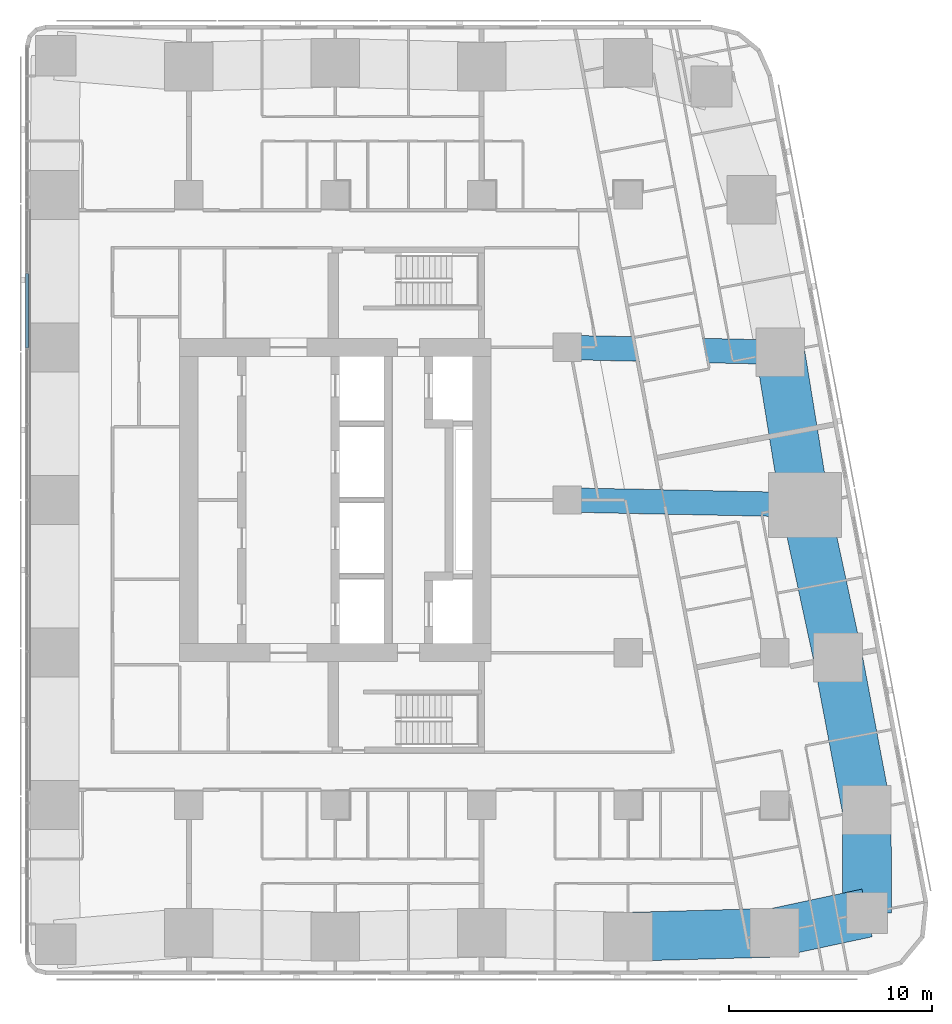
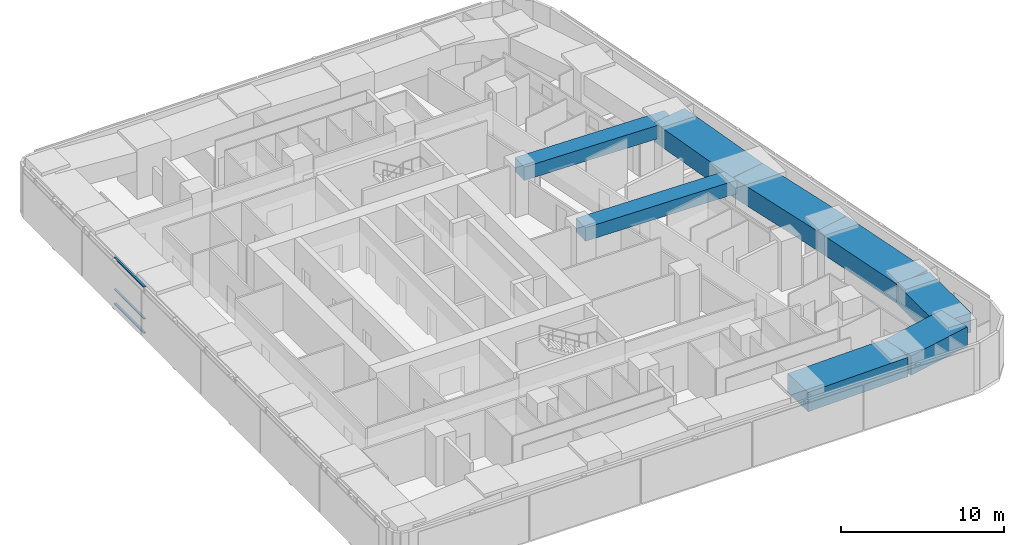
# One storey, part 4 of 19: 8 beams, 3 members, 1 element without a shape of its own.
"""IFC4 building model written with IfcOpenShell, lengths in metres."""

from ifc_helpers import new_model, si_unit, direction, frame, origin, origin_2d, place, context, subcontext, project, spatial, rectangle, extrude, material, material_profile, profile_set, type_object, element, aggregate, save


model = new_model("IFC4")

# Units and contexts
model_context = context("Model", 3, precision=1e-05, world=origin(), true_north=direction((0.0, 1.0)))
body_context = subcontext(model_context, "Body", "Model", "MODEL_VIEW")
ifc_project = project(units=[si_unit("LENGTHUNIT", "METRE"), si_unit("AREAUNIT", "SQUARE_METRE"), si_unit("VOLUMEUNIT", "CUBIC_METRE"), si_unit("PLANEANGLEUNIT", "RADIAN"), si_unit("MASSUNIT", "GRAM", prefix="KILO")], contexts=[model_context])

# Site, building, storey
site_placement = place(None, origin())
site = spatial("IfcSite", under=ifc_project, at=site_placement, CompositionType="ELEMENT")
building_placement = place(site_placement, origin())
building = spatial("IfcBuilding", under=site, at=building_placement, Name="Sheger Commons Tower", CompositionType="ELEMENT")
storey_placement = place(building_placement, frame((0.0, 0.0, 197.449951171875)))
storey = spatial("IfcBuildingStorey", under=building, at=storey_placement, Name="L50", CompositionType="ELEMENT", Elevation=197.449951171875)

# Beams
ifc_material_1 = material(Name="Concrete C50/60", Category="concrete")
ifc_material_profile_1 = material_profile(ifc_material_1, rectangle(XDim=1.199951171875, YDim=1.0, at=origin_2d()), Name="RC 1200x1000")
ifc_profile_set_1 = profile_set([ifc_material_profile_1], Name="Concrete C50/60")
beam_type_1 = type_object("IfcBeamType", Name="BEAM RC 1200x1000", PredefinedType="BEAM", material=ifc_profile_set_1)
beam_1_placement = place(storey_placement, frame((33.0, 22.5, 3.0), z_axis=(0.999794692776, -0.02026258368, 0.0), x_axis=(0.02026258368, 0.999794692776, 0.0)))
element("IfcBeam", 1, at=beam_1_placement, inside=storey, type_object=beam_type_1, Name="Beam 6-3000/D-7/D under L51", PredefinedType="BEAM", context=body_context, shape_type="SweptSolid", body=[
    extrude(rectangle(XDim=1.199951171875, YDim=1.0, at=origin_2d()), origin(), (0.0, 0.0, 1.0), 11.699462890625),
])
beam_2_placement = place(storey_placement, frame((33.0, 30.0, 3.0), z_axis=(0.999744258625, -0.022614538395, 0.0), x_axis=(0.022614538395, 0.999744258625, 0.0)))
element("IfcBeam", 2, at=beam_2_placement, inside=storey, type_object=beam_type_1, Name="Beam 6-3000/E-E/E under L51", PredefinedType="BEAM", context=body_context, shape_type="SweptSolid", body=[
    extrude(rectangle(XDim=1.199951171875, YDim=1.0, at=origin_2d()), origin(), (0.0, 0.0, 1.0), 10.482666015625),
])
ifc_material_2 = material(Name="Concrete C50/60", Category="concrete")
ifc_material_profile_2 = material_profile(ifc_material_2, rectangle(XDim=2.39990234375, YDim=1.449951171875, at=origin_2d()), Name="RC 2400x1450")
ifc_profile_set_2 = profile_set([ifc_material_profile_2], Name="Concrete C50/60")
beam_type_2 = type_object("IfcBeamType", Name="SPANDREL RC 2400x1450", PredefinedType="SPANDREL", material=ifc_profile_set_2)
beam_3_placement = place(storey_placement, frame((36.0, 1.02490234375, 2.775146484375), z_axis=(0.9996136624, 0.027794350926, 0.0), x_axis=(-0.027794350926, 0.9996136624, 0.0)))
element("IfcBeam", 3, at=beam_3_placement, inside=storey, type_object=beam_type_2, Name="Beam 6/A-7/A under L51", PredefinedType="SPANDREL", context=body_context, shape_type="SweptSolid", body=[
    extrude(rectangle(XDim=2.39990234375, YDim=1.449951171875, at=origin_2d()), origin(), (0.0, 0.0, 1.0), 7.20263671875),
])
beam_4_placement = place(storey_placement, frame((43.199951171875, 1.22509765625, 2.775146484375), z_axis=(0.977919796671, 0.208980552394, 0.0), x_axis=(-0.208980552394, 0.977919796671, 0.0)))
element("IfcBeam", 4, at=beam_4_placement, inside=storey, type_object=beam_type_2, Name="Beam 7/A-49.461,0.778 under L51", PredefinedType="SPANDREL", context=body_context, shape_type="SweptSolid", body=[
    extrude(rectangle(XDim=2.39990234375, YDim=1.449951171875, at=origin_2d()), origin(), (0.0, 0.0, 1.0), 4.65087890625),
])
beam_5_placement = place(storey_placement, frame((47.748046875, 2.197021484375, 2.775146484375), z_axis=(-0.003566242382, 0.999993640937, 0.0), x_axis=(-0.999993640937, -0.003566242382, 0.0)))
element("IfcBeam", 5, at=beam_5_placement, inside=storey, type_object=beam_type_2, Name="Beam 49.461,0.778-E/B under L51", PredefinedType="SPANDREL", context=body_context, shape_type="SweptSolid", body=[
    extrude(rectangle(XDim=2.39990234375, YDim=1.449951171875, at=origin_2d()), origin(), (0.0, 0.0, 1.0), 5.06591796875),
])
beam_6_placement = place(storey_placement, frame((47.72998046875, 7.262939453125, 2.775146484375), z_axis=(-0.18552441405, 0.982639655108, 0.0), x_axis=(-0.982639655108, -0.18552441405, 0.0)))
element("IfcBeam", 6, at=beam_6_placement, inside=storey, type_object=beam_type_2, Name="Beam E/B-E/C under L51", PredefinedType="SPANDREL", context=body_context, shape_type="SweptSolid", body=[
    extrude(rectangle(XDim=2.39990234375, YDim=1.449951171875, at=origin_2d()), origin(), (0.0, 0.0, 1.0), 7.632568359375),
])
beam_7_placement = place(storey_placement, frame((46.31396484375, 14.762939453125, 2.775146484375), z_axis=(-0.210750229323, 0.977539943348, 0.0), x_axis=(-0.977539943348, -0.210750229323, 0.0)))
element("IfcBeam", 7, at=beam_7_placement, inside=storey, type_object=beam_type_2, Name="Beam E/C-E/D under L51", PredefinedType="SPANDREL", context=body_context, shape_type="SweptSolid", body=[
    extrude(rectangle(XDim=2.39990234375, YDim=1.449951171875, at=origin_2d()), origin(), (0.0, 0.0, 1.0), 7.67236328125),
])
beam_8_placement = place(storey_placement, frame((44.697021484375, 22.262939453125, 2.775146484375), z_axis=(-0.160176929512, 0.987088319884, 0.0), x_axis=(-0.987088319884, -0.160176929512, 0.0)))
element("IfcBeam", 8, at=beam_8_placement, inside=storey, type_object=beam_type_2, Name="Beam E/D-E/E under L51", PredefinedType="SPANDREL", context=body_context, shape_type="SweptSolid", body=[
    extrude(rectangle(XDim=2.39990234375, YDim=1.449951171875, at=origin_2d()), origin(), (0.0, 0.0, 1.0), 7.59814453125),
])

# Curtain wall, members
ifc_material_3 = material(Name="Black aluminium curtain wall, dark tinted glazing", Category="aluminium")
curtain_wall_type = type_object("IfcCurtainWallType", Name="CURTAIN WALL CW4 GALLERY", PredefinedType="USERDEFINED", material=ifc_material_3)
curtain_wall_placement = place(storey_placement, origin())
curtain_wall = element("IfcCurtainWall", 9, at=curtain_wall_placement, inside=storey, type_object=curtain_wall_type, Name="Curtain Wall Cw4 Gallery W1 L50", ObjectType="UNITISED CURTAIN WALL", PredefinedType="USERDEFINED")
ifc_material_4 = material(Name="Black anodised aluminium", Category="aluminium")
ifc_material_profile_3 = material_profile(ifc_material_4, rectangle(XDim=0.14990234375, YDim=0.06494140625, at=origin_2d()), Name="AL 65x150")
ifc_profile_set_3 = profile_set([ifc_material_profile_3], Name="Black anodised aluminium")
member_type = type_object("IfcMemberType", Name="TRANSOM AL 65x150", PredefinedType="USERDEFINED", material=ifc_profile_set_3)
member_1_placement = place(storey_placement, frame((6.449951171875, 33.635498046875, 0.032470703125), z_axis=(0.0, -1.0, 0.0), x_axis=(1.0, 0.0, 0.0)))
member_1 = element("IfcMember", 10, at=member_1_placement, type_object=member_type, Name="CW4 transom 8.1", ObjectType="TRANSOM", PredefinedType="USERDEFINED", context=body_context, shape_type="SweptSolid", body=[
    extrude(rectangle(XDim=0.14990234375, YDim=0.06494140625, at=origin_2d()), origin(), (0.0, 0.0, 1.0), 3.656982421875),
])
member_2_placement = place(storey_placement, frame((6.449951171875, 33.635498046875, 1.10009765625), z_axis=(0.0, -1.0, 0.0), x_axis=(1.0, 0.0, 0.0)))
member_2 = element("IfcMember", 11, at=member_2_placement, type_object=member_type, Name="CW4 transom 8.2", ObjectType="TRANSOM", PredefinedType="USERDEFINED", context=body_context, shape_type="SweptSolid", body=[
    extrude(rectangle(XDim=0.14990234375, YDim=0.06494140625, at=origin_2d()), origin(), (0.0, 0.0, 1.0), 3.656982421875),
])
member_3_placement = place(storey_placement, frame((6.449951171875, 33.635498046875, 3.467529296875), z_axis=(0.0, -1.0, 0.0), x_axis=(1.0, 0.0, 0.0)))
member_3 = element("IfcMember", 12, at=member_3_placement, type_object=member_type, Name="CW4 transom 8.3", ObjectType="TRANSOM", PredefinedType="USERDEFINED", context=body_context, shape_type="SweptSolid", body=[
    extrude(rectangle(XDim=0.14990234375, YDim=0.06494140625, at=origin_2d()), origin(), (0.0, 0.0, 1.0), 3.656982421875),
])
aggregate(curtain_wall, [member_1, member_2, member_3])

save(model, "model.ifc")
